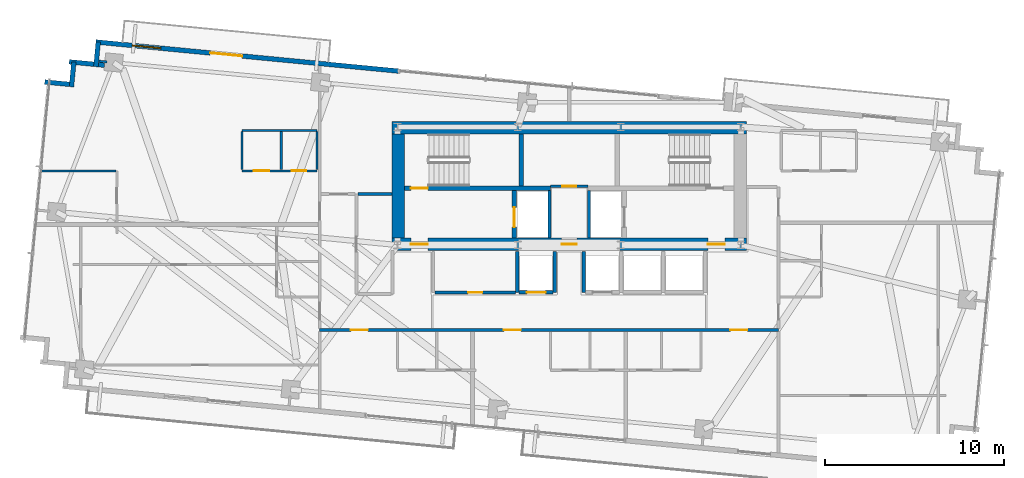
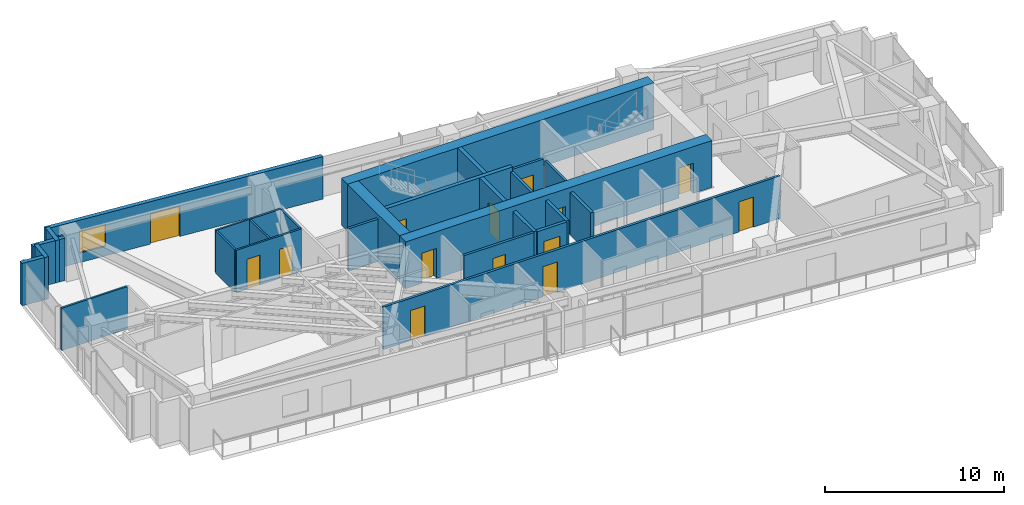
# One storey, part 16 of 20: 28 walls, 14 doors, 1 window, 15 openings.
"""IFC4 building model written with IfcOpenShell, lengths in metres."""

from ifc_helpers import new_model, si_unit, direction, frame, frame_2d, origin, place, context, subcontext, project, spatial, rectangle, extrude, source, transform, mapped, material, layer, layer_set, type_object, type_shapes, element, fill, save


model = new_model("IFC4")

# Units and contexts
model_context = context("Model", 3, precision=1e-05, world=origin(), true_north=direction((0.0, 1.0)))
body_context = subcontext(model_context, "Body", "Model", "MODEL_VIEW")
ifc_project = project(units=[si_unit("LENGTHUNIT", "METRE"), si_unit("AREAUNIT", "SQUARE_METRE"), si_unit("VOLUMEUNIT", "CUBIC_METRE"), si_unit("PLANEANGLEUNIT", "RADIAN"), si_unit("MASSUNIT", "GRAM", prefix="KILO")], contexts=[model_context])

# Site, building, storey
site_placement = place(None, origin())
site = spatial("IfcSite", under=ifc_project, at=site_placement, CompositionType="ELEMENT")
building_placement = place(site_placement, origin())
building = spatial("IfcBuilding", under=site, at=building_placement, Name="Astriad Promenade Condominiums", CompositionType="ELEMENT")
storey_placement = place(building_placement, frame((0.0, 0.0, 159.800048828125)))
storey = spatial("IfcBuildingStorey", under=building, at=storey_placement, Name="L46", CompositionType="ELEMENT", Elevation=159.800048828125)

# Wall, openings, doors
ifc_material_1 = material(Name="Concrete C60/75", Category="concrete")
ifc_layer_1 = layer(ifc_material_1, 0.699951171875)
ifc_layer_set_1 = layer_set([ifc_layer_1], Name="Concrete C60/75")
wall_type_1 = type_object("IfcWallType", Name="CW-SHEAR-700", PredefinedType="SHEAR", material=ifc_layer_set_1)
wall_1_placement = place(storey_placement, frame((26.10009765625, 17.449951171875, 0.0), z_axis=(0.0, 0.0, 1.0), x_axis=(1.0, 0.0, 0.0)))
wall_1 = element("IfcWall", 1, at=wall_1_placement, inside=storey, type_object=wall_type_1, Name="CW-CORE-S-L46", PredefinedType="SHEAR", context=body_context, shape_type="SweptSolid", body=[
    extrude(rectangle(XDim=19.7998046875, YDim=0.699951171875, at=frame_2d((9.89990234375, 0.0))), origin(), (0.0, 0.0, 1.0), 3.199951171875),
])
opening_1_placement = place(wall_1_placement, frame((1.050048828125, 0.0, 0.0)))
opening_1 = element("IfcOpeningElement", 2, at=opening_1_placement, cuts=wall_1, Name="Opening FD90-ST-095", PredefinedType="OPENING", context=body_context, shape_type="SweptSolid", body=[
    extrude(rectangle(XDim=0.949951171875, YDim=2.06005859375, at=frame_2d((0.47509765625, 1.030029296875))), frame((0.0, 0.35986328125, 0.0), z_axis=(0.0, -1.0, 0.0), x_axis=(1.0, 0.0, 0.0)), (0.0, 0.0, 1.0), 0.719970703125),
])
opening_2_placement = place(wall_1_placement, frame((9.47998046875, 0.0, 0.0)))
opening_2 = element("IfcOpeningElement", 3, at=opening_2_placement, cuts=wall_1, Name="Opening FD60-ULOW-085", PredefinedType="OPENING", context=body_context, shape_type="SweptSolid", body=[
    extrude(rectangle(XDim=0.85009765625, YDim=2.0, at=frame_2d((0.425048828125, 1.0))), frame((0.0, 0.35986328125, 0.0), z_axis=(0.0, -1.0, 0.0), x_axis=(1.0, 0.0, 0.0)), (0.0, 0.0, 1.0), 0.719970703125),
])
opening_3_placement = place(wall_1_placement, frame((17.64990234375, 0.0, 0.0)))
opening_3 = element("IfcOpeningElement", 4, at=opening_3_placement, cuts=wall_1, Name="Opening FD90-ST-095", PredefinedType="OPENING", context=body_context, shape_type="SweptSolid", body=[
    extrude(rectangle(XDim=0.949951171875, YDim=2.06005859375, at=frame_2d((0.47509765625, 1.030029296875))), frame((0.0, 0.35986328125, 0.0), z_axis=(0.0, -1.0, 0.0), x_axis=(1.0, 0.0, 0.0)), (0.0, 0.0, 1.0), 0.719970703125),
])
ifc_material_2 = material(Name="Fire-Rated Hollow Metal Stair Door")
door_type_1 = type_object("IfcDoorType", Name="FD90-ST-095", OperationType="NOTDEFINED", PredefinedType="DOOR", material=ifc_material_2)
shared_shape_1 = source(origin(), body_context, "Body", "SweptSolid", [
    extrude(rectangle(XDim=0.949951171875, YDim=2.06005859375, at=frame_2d((0.47509765625, 1.030029296875))), frame((0.0, 0.02490234375, 0.0), z_axis=(0.0, -1.0, 0.0), x_axis=(1.0, 0.0, 0.0)), (0.0, 0.0, 1.0), 0.050048828125),
])
type_shapes(door_type_1, [shared_shape_1])
door_1_placement = place(opening_1_placement, origin())
door_1 = element("IfcDoor", 5, at=door_1_placement, inside=storey, type_object=door_type_1, Name="D-FFW-L46", OperationType="SINGLE_SWING_LEFT", OverallHeight=2.06005859375, OverallWidth=0.949951171875, PredefinedType="DOOR", context=body_context, shape_type="MappedRepresentation", body=[
    mapped(shared_shape_1, transform((0.0, 0.0, 0.0), scale=1.0)),
])
fill(opening_1, door_1)
door_2_placement = place(opening_3_placement, origin())
door_2 = element("IfcDoor", 6, at=door_2_placement, inside=storey, type_object=door_type_1, Name="D-FFE-L46", OperationType="SINGLE_SWING_RIGHT", OverallHeight=2.06005859375, OverallWidth=0.949951171875, PredefinedType="DOOR", context=body_context, shape_type="MappedRepresentation", body=[
    mapped(shared_shape_1, transform((0.0, 0.0, 0.0), scale=1.0)),
])
fill(opening_3, door_2)
ifc_material_3 = material(Name="Solid-Core Low-Headroom Fire Door")
door_type_2 = type_object("IfcDoorType", Name="FD60-ULOW-085", OperationType="NOTDEFINED", PredefinedType="DOOR", material=ifc_material_3)
shared_shape_2 = source(origin(), body_context, "Body", "SweptSolid", [
    extrude(rectangle(XDim=0.85009765625, YDim=2.0, at=frame_2d((0.425048828125, 1.0))), frame((0.0, 0.02490234375, 0.0), z_axis=(0.0, -1.0, 0.0), x_axis=(1.0, 0.0, 0.0)), (0.0, 0.0, 1.0), 0.050048828125),
])
type_shapes(door_type_2, [shared_shape_2])
door_3_placement = place(opening_2_placement, origin())
door_3 = element("IfcDoor", 7, at=door_3_placement, inside=storey, type_object=door_type_2, Name="D-CSL-L46", OperationType="SINGLE_SWING_RIGHT", OverallHeight=2.0, OverallWidth=0.85009765625, PredefinedType="DOOR", context=body_context, shape_type="MappedRepresentation", body=[
    mapped(shared_shape_2, transform((0.0, 0.0, 0.0), scale=1.0)),
])
fill(opening_2, door_3)

# Walls
wall_2_placement = place(storey_placement, frame((26.10009765625, 23.949951171875, 0.0), z_axis=(0.0, 0.0, 1.0), x_axis=(1.0, 0.0, 0.0)))
element("IfcWall", 8, at=wall_2_placement, inside=storey, type_object=wall_type_1, Name="CW-CORE-N-L46", PredefinedType="SHEAR", context=body_context, shape_type="SweptSolid", body=[
    extrude(rectangle(XDim=19.7998046875, YDim=0.699951171875, at=frame_2d((9.89990234375, 0.0))), origin(), (0.0, 0.0, 1.0), 3.199951171875),
])
wall_3_placement = place(storey_placement, frame((26.449951171875, 17.802001953125, 0.0), z_axis=(0.0, 0.0, 1.0), x_axis=(0.0, 1.0, 0.0)))
element("IfcWall", 9, at=wall_3_placement, inside=storey, type_object=wall_type_1, Name="CW-CORE-W-L46", PredefinedType="SHEAR", context=body_context, shape_type="SweptSolid", body=[
    extrude(rectangle(XDim=5.7958984375, YDim=0.699951171875, at=frame_2d((2.89794921875, 0.0))), origin(), (0.0, 0.0, 1.0), 3.199951171875),
])

# Wall, opening, door
ifc_material_4 = material(Name="Concrete C50/60", Category="concrete")
ifc_layer_2 = layer(ifc_material_4, 0.25)
ifc_layer_set_2 = layer_set([ifc_layer_2], Name="Concrete C50/60")
wall_type_2 = type_object("IfcWallType", Name="WALL-CORE-INT-250", PredefinedType="SOLIDWALL", material=ifc_layer_set_2)
wall_4_placement = place(storey_placement, frame((26.802001953125, 20.574951171875, 0.0), z_axis=(0.0, 0.0, 1.0), x_axis=(1.0, 0.0, 0.0)))
wall_4 = element("IfcWall", 10, at=wall_4_placement, inside=storey, type_object=wall_type_2, Name="CW-INT-H1-L46", PredefinedType="SOLIDWALL", context=body_context, shape_type="SweptSolid", body=[
    extrude(rectangle(XDim=8.14794921875, YDim=0.25, at=frame_2d((4.073974609375, 0.0))), origin(), (0.0, 0.0, 1.0), 3.199951171875),
])
opening_4_placement = place(wall_4_placement, frame((0.347900390625, 0.0, 0.0)))
opening_4 = element("IfcOpeningElement", 11, at=opening_4_placement, cuts=wall_4, Name="Opening FD90-ST-095", PredefinedType="OPENING", context=body_context, shape_type="SweptSolid", body=[
    extrude(rectangle(XDim=0.949951171875, YDim=2.06005859375, at=frame_2d((0.47509765625, 1.030029296875))), frame((0.0, 0.135009765625, 0.0), z_axis=(0.0, -1.0, 0.0), x_axis=(1.0, 0.0, 0.0)), (0.0, 0.0, 1.0), 0.27001953125),
])
door_4_placement = place(opening_4_placement, origin())
door_4 = element("IfcDoor", 12, at=door_4_placement, inside=storey, type_object=door_type_1, Name="D-ST1-L46", OperationType="SINGLE_SWING_RIGHT", OverallHeight=2.06005859375, OverallWidth=0.949951171875, PredefinedType="DOOR", context=body_context, shape_type="MappedRepresentation", body=[
    mapped(shared_shape_1, transform((0.0, 0.0, 0.0), scale=1.0)),
])
fill(opening_4, door_4)

# Wall
wall_5_placement = place(storey_placement, frame((33.324951171875, 20.701904296875, 0.0), z_axis=(0.0, 0.0, 1.0), x_axis=(0.0, 1.0, 0.0)))
element("IfcWall", 13, at=wall_5_placement, inside=storey, type_object=wall_type_2, Name="CW-ST1-E-L46", PredefinedType="SOLIDWALL", context=body_context, shape_type="SweptSolid", body=[
    extrude(rectangle(XDim=2.89599609375, YDim=0.25, at=frame_2d((1.447998046875, 0.0))), origin(), (0.0, 0.0, 1.0), 3.199951171875),
])

# Wall, opening, door
wall_6_placement = place(storey_placement, frame((32.925048828125, 17.802001953125, 0.0), z_axis=(0.0, 0.0, 1.0), x_axis=(0.0, 1.0, 0.0)))
wall_6 = element("IfcWall", 14, at=wall_6_placement, inside=storey, type_object=wall_type_2, Name="CW-FFL1-W-L46", PredefinedType="SOLIDWALL", context=body_context, shape_type="SweptSolid", body=[
    extrude(rectangle(XDim=2.64599609375, YDim=0.25, at=frame_2d((1.322998046875, 0.0))), origin(), (0.0, 0.0, 1.0), 3.199951171875),
])
opening_5_placement = place(wall_6_placement, frame((0.597900390625, 0.0, 0.0)))
opening_5 = element("IfcOpeningElement", 15, at=opening_5_placement, cuts=wall_6, Name="Opening LD-FFL-1122", PredefinedType="OPENING", context=body_context, shape_type="SweptSolid", body=[
    extrude(rectangle(XDim=1.10009765625, YDim=2.080078125, at=frame_2d((0.550048828125, 1.0400390625))), frame((0.0, 0.135009765625, 0.0), z_axis=(0.0, -1.0, 0.0), x_axis=(1.0, 0.0, 0.0)), (0.0, 0.0, 1.0), 0.27001953125),
])
ifc_material_5 = material(Name="Brushed Stainless Steel Fire Elevator Landing Door", Category="steel")
door_type_3 = type_object("IfcDoorType", Name="LD-FFL-1122", OperationType="NOTDEFINED", PredefinedType="DOOR", material=ifc_material_5)
shared_shape_3 = source(origin(), body_context, "Body", "SweptSolid", [
    extrude(rectangle(XDim=1.10009765625, YDim=2.080078125, at=frame_2d((0.550048828125, 1.0400390625))), frame((0.0, 0.02490234375, 0.0), z_axis=(0.0, -1.0, 0.0), x_axis=(1.0, 0.0, 0.0)), (0.0, 0.0, 1.0), 0.050048828125),
])
type_shapes(door_type_3, [shared_shape_3])
door_5_placement = place(opening_5_placement, origin())
door_5 = element("IfcDoor", 16, at=door_5_placement, inside=storey, type_object=door_type_3, Name="Elevator Landing Door FFL-1 (L46)", OperationType="SLIDING_TO_LEFT", OverallHeight=2.080078125, OverallWidth=1.10009765625, PredefinedType="DOOR", context=body_context, shape_type="MappedRepresentation", body=[
    mapped(shared_shape_3, transform((0.0, 0.0, 0.0), scale=1.0)),
])
fill(opening_5, door_5)

# Walls
ifc_material_6 = material(Name="Fire-Rated Gypsum Partition")
ifc_layer_3 = layer(ifc_material_6, 0.159912109375)
ifc_layer_set_3 = layer_set([ifc_layer_3], Name="Fire-Rated Gypsum Partition")
wall_type_3 = type_object("IfcWallType", Name="WALL-CORR-160", PredefinedType="PARTITIONING", material=ifc_layer_set_3)
for number, where, z_axis, x_axis, name in (
    (17, (34.89990234375, 17.802001953125, 0.0), (0.0, 0.0, 1.0), (0.0, 1.0, 0.0), "CW-FFL1-E-L46"),
    (18, (37.10009765625, 17.802001953125, 0.0), (0.0, 0.0, 1.0), (0.0, 1.0, 0.0), "CW-FFL2-W-L46"),
):
    element("IfcWall", number, at=place(storey_placement, frame(where, z_axis=z_axis, x_axis=x_axis)), inside=storey, type_object=wall_type_3, Name=name, PredefinedType="PARTITIONING", context=body_context, shape_type="SweptSolid", body=[
        extrude(rectangle(XDim=2.64599609375, YDim=0.159912109375, at=frame_2d((1.322998046875, 0.0))), origin(), (0.0, 0.0, 1.0), 2.89990234375),
    ])

# Wall, opening, door
wall_7_placement = place(storey_placement, frame((34.949951171875, 20.68994140625, 0.0), z_axis=(0.0, 0.0, 1.0), x_axis=(1.0, 0.0, 0.0)))
wall_7 = element("IfcWall", 19, at=wall_7_placement, inside=storey, type_object=wall_type_3, Name="CW-AUX-S-L46", PredefinedType="PARTITIONING", context=body_context, shape_type="SweptSolid", body=[
    extrude(rectangle(XDim=2.10009765625, YDim=0.159912109375, at=frame_2d((1.050048828125, 0.0))), origin(), (0.0, 0.0, 1.0), 2.89990234375),
])
opening_6_placement = place(wall_7_placement, frame((0.64990234375, 0.0, 0.0)))
opening_6 = element("IfcOpeningElement", 20, at=opening_6_placement, cuts=wall_7, Name="Opening FD60-SV-080", PredefinedType="OPENING", context=body_context, shape_type="SweptSolid", body=[
    extrude(rectangle(XDim=0.800048828125, YDim=2.050048828125, at=frame_2d((0.39990234375, 1.02490234375))), frame((0.0, 0.08984375, 0.0), z_axis=(0.0, -1.0, 0.0), x_axis=(1.0, 0.0, 0.0)), (0.0, 0.0, 1.0), 0.179931640625),
])
ifc_material_7 = material(Name="Fire-Rated Riser Closet Door")
door_type_4 = type_object("IfcDoorType", Name="FD60-SV-080", OperationType="NOTDEFINED", PredefinedType="DOOR", material=ifc_material_7)
shared_shape_4 = source(origin(), body_context, "Body", "SweptSolid", [
    extrude(rectangle(XDim=0.800048828125, YDim=2.050048828125, at=frame_2d((0.39990234375, 1.02490234375))), frame((0.0, 0.02490234375, 0.0), z_axis=(0.0, -1.0, 0.0), x_axis=(1.0, 0.0, 0.0)), (0.0, 0.0, 1.0), 0.050048828125),
])
type_shapes(door_type_4, [shared_shape_4])
door_6_placement = place(opening_6_placement, origin())
door_6 = element("IfcDoor", 21, at=door_6_placement, inside=storey, type_object=door_type_4, Name="D-AUX1-L46", OperationType="SINGLE_SWING_RIGHT", OverallHeight=2.050048828125, OverallWidth=0.800048828125, PredefinedType="DOOR", context=body_context, shape_type="MappedRepresentation", body=[
    mapped(shared_shape_4, transform((0.0, 0.0, 0.0), scale=1.0)),
])
fill(opening_6, door_6)

wall_8_placement = place(storey_placement, frame((28.48193359375, 14.75, 0.0), z_axis=(0.0, 0.0, 1.0), x_axis=(1.0, 0.0, 0.0)))
wall_8 = element("IfcWall", 22, at=wall_8_placement, inside=storey, type_object=wall_type_3, Name="REC-L-S-L46", PredefinedType="PARTITIONING", context=body_context, shape_type="SweptSolid", body=[
    extrude(rectangle(XDim=4.51611328125, YDim=0.159912109375, at=frame_2d((2.258056640625, 0.0))), origin(), (0.0, 0.0, 1.0), 2.89990234375),
])
opening_7_placement = place(wall_8_placement, frame((1.867919921875, 0.0, 0.0)))
opening_7 = element("IfcOpeningElement", 23, at=opening_7_placement, cuts=wall_8, Name="Opening FD60-SV-080", PredefinedType="OPENING", context=body_context, shape_type="SweptSolid", body=[
    extrude(rectangle(XDim=0.800048828125, YDim=2.050048828125, at=frame_2d((0.39990234375, 1.02490234375))), frame((0.0, 0.08984375, 0.0), z_axis=(0.0, -1.0, 0.0), x_axis=(1.0, 0.0, 0.0)), (0.0, 0.0, 1.0), 0.179931640625),
])
door_7_placement = place(opening_7_placement, origin())
door_7 = element("IfcDoor", 24, at=door_7_placement, inside=storey, type_object=door_type_4, Name="D-RECL-L46", OperationType="SINGLE_SWING_LEFT", OverallHeight=2.050048828125, OverallWidth=0.800048828125, PredefinedType="DOOR", context=body_context, shape_type="MappedRepresentation", body=[
    mapped(shared_shape_4, transform((0.0, 0.0, 0.0), scale=1.0)),
])
fill(opening_7, door_7)

# Wall, openings, doors
wall_9_placement = place(storey_placement, frame((22.050048828125, 12.64990234375, 0.0), z_axis=(0.0, 0.0, 1.0), x_axis=(1.0, 0.0, 0.0)))
wall_9 = element("IfcWall", 25, at=wall_9_placement, inside=storey, type_object=wall_type_3, Name="PT-COR-S-L46", PredefinedType="PARTITIONING", context=body_context, shape_type="SweptSolid", body=[
    extrude(rectangle(XDim=25.64990234375, YDim=0.159912109375, at=frame_2d((12.824951171875, 0.0))), origin(), (0.0, 0.0, 1.0), 2.89990234375),
])
opening_8_placement = place(wall_9_placement, frame((1.736083984375, 0.0, 0.0)))
opening_8 = element("IfcOpeningElement", 26, at=opening_8_placement, cuts=wall_9, Name="Opening FD60-APT-095", PredefinedType="OPENING", context=body_context, shape_type="SweptSolid", body=[
    extrude(rectangle(XDim=0.949951171875, YDim=2.06005859375, at=frame_2d((0.47509765625, 1.030029296875))), frame((0.0, 0.08984375, 0.0), z_axis=(0.0, -1.0, 0.0), x_axis=(1.0, 0.0, 0.0)), (0.0, 0.0, 1.0), 0.179931640625),
])
opening_9_placement = place(wall_9_placement, frame((10.300048828125, 0.0, 0.0)))
opening_9 = element("IfcOpeningElement", 27, at=opening_9_placement, cuts=wall_9, Name="Opening FD60-APT-095", PredefinedType="OPENING", context=body_context, shape_type="SweptSolid", body=[
    extrude(rectangle(XDim=0.949951171875, YDim=2.06005859375, at=frame_2d((0.47509765625, 1.030029296875))), frame((0.0, 0.08984375, 0.0), z_axis=(0.0, -1.0, 0.0), x_axis=(1.0, 0.0, 0.0)), (0.0, 0.0, 1.0), 0.179931640625),
])
opening_10_placement = place(wall_9_placement, frame((22.965087890625, 0.0, 0.0)))
opening_10 = element("IfcOpeningElement", 28, at=opening_10_placement, cuts=wall_9, Name="Opening FD60-APT-095", PredefinedType="OPENING", context=body_context, shape_type="SweptSolid", body=[
    extrude(rectangle(XDim=0.949951171875, YDim=2.06005859375, at=frame_2d((0.47509765625, 1.030029296875))), frame((0.0, 0.08984375, 0.0), z_axis=(0.0, -1.0, 0.0), x_axis=(1.0, 0.0, 0.0)), (0.0, 0.0, 1.0), 0.179931640625),
])
ifc_material_8 = material(Name="Solid-Core Acoustic Timber Residence Entry Door", Category="wood")
door_type_5 = type_object("IfcDoorType", Name="FD60-APT-095", OperationType="NOTDEFINED", PredefinedType="DOOR", material=ifc_material_8)
shared_shape_5 = source(origin(), body_context, "Body", "SweptSolid", [
    extrude(rectangle(XDim=0.949951171875, YDim=2.06005859375, at=frame_2d((0.47509765625, 1.030029296875))), frame((0.0, 0.02490234375, 0.0), z_axis=(0.0, -1.0, 0.0), x_axis=(1.0, 0.0, 0.0)), (0.0, 0.0, 1.0), 0.050048828125),
])
type_shapes(door_type_5, [shared_shape_5])
door_8_placement = place(opening_8_placement, origin())
door_8 = element("IfcDoor", 29, at=door_8_placement, inside=storey, type_object=door_type_5, Name="D-ENT-L46-S1", OperationType="SINGLE_SWING_RIGHT", OverallHeight=2.06005859375, OverallWidth=0.949951171875, PredefinedType="DOOR", context=body_context, shape_type="MappedRepresentation", body=[
    mapped(shared_shape_5, transform((0.0, 0.0, 0.0), scale=1.0)),
])
fill(opening_8, door_8)
door_9_placement = place(opening_9_placement, origin())
door_9 = element("IfcDoor", 30, at=door_9_placement, inside=storey, type_object=door_type_5, Name="D-ENT-L46-S2", OperationType="SINGLE_SWING_LEFT", OverallHeight=2.06005859375, OverallWidth=0.949951171875, PredefinedType="DOOR", context=body_context, shape_type="MappedRepresentation", body=[
    mapped(shared_shape_5, transform((0.0, 0.0, 0.0), scale=1.0)),
])
fill(opening_9, door_9)
door_10_placement = place(opening_10_placement, origin())
door_10 = element("IfcDoor", 31, at=door_10_placement, inside=storey, type_object=door_type_5, Name="D-ENT-L46-S3", OperationType="SINGLE_SWING_RIGHT", OverallHeight=2.06005859375, OverallWidth=0.949951171875, PredefinedType="DOOR", context=body_context, shape_type="MappedRepresentation", body=[
    mapped(shared_shape_5, transform((0.0, 0.0, 0.0), scale=1.0)),
])
fill(opening_10, door_10)

# Walls
wall_10_placement = place(storey_placement, frame((24.181884765625, 20.25, 0.0), z_axis=(0.0, 0.0, 1.0), x_axis=(1.0, 0.0, 0.0)))
element("IfcWall", 32, at=wall_10_placement, inside=storey, type_object=wall_type_3, Name="PT-HK-N-L46-S2", PredefinedType="PARTITIONING", context=body_context, shape_type="SweptSolid", body=[
    extrude(rectangle(XDim=1.916015625, YDim=0.159912109375, at=frame_2d((0.9580078125, 0.0))), origin(), (0.0, 0.0, 1.0), 2.89990234375),
])
ifc_material_9 = material(Name="Precast concrete C50/60", Category="concrete")
ifc_layer_4 = layer(ifc_material_9, 0.260009765625)
ifc_layer_set_4 = layer_set([ifc_layer_4], Name="Precast concrete C50/60")
wall_type_4 = type_object("IfcWallType", Name="WALL-EXT-TWR-260", PredefinedType="STANDARD", material=ifc_layer_set_4)
wall_11_placement = place(storey_placement, frame((6.68115234375, 26.518310546875, 0.0), z_axis=(0.0, 0.0, 1.0), x_axis=(0.995389446633, -0.095915846097, 0.0)))
element("IfcWall", 33, at=wall_11_placement, inside=storey, type_object=wall_type_4, Name="W-SER-L46-04", PredefinedType="STANDARD", context=body_context, shape_type="SweptSolid", body=[
    extrude(rectangle(XDim=1.394775390625, YDim=0.260009765625, at=frame_2d((0.697265625, 0.0))), origin(), (0.0, 0.0, 1.0), 2.89990234375),
])
wall_12_placement = place(storey_placement, frame((8.171875, 26.243896484375, 0.0), z_axis=(0.0, 0.0, 1.0), x_axis=(0.095725744959, 0.99540774648, 0.0)))
element("IfcWall", 34, at=wall_12_placement, inside=storey, type_object=wall_type_4, Name="W-SER-L46-05", PredefinedType="STANDARD", context=body_context, shape_type="SweptSolid", body=[
    extrude(rectangle(XDim=1.39501953125, YDim=0.260009765625, at=frame_2d((0.697509765625, 0.0))), origin(), (0.0, 0.0, 1.0), 2.89990234375),
])
wall_13_placement = place(storey_placement, frame((8.045166015625, 27.642578125, 0.0), z_axis=(0.0, 0.0, 1.0), x_axis=(0.995391147587, -0.095898192396, 0.0)))
element("IfcWall", 35, at=wall_13_placement, inside=storey, type_object=wall_type_4, Name="W-SER-L46-06", PredefinedType="STANDARD", context=body_context, shape_type="SweptSolid", body=[
    extrude(rectangle(XDim=1.97802734375, YDim=0.260009765625, at=frame_2d((0.989013671875, 0.0))), origin(), (0.0, 0.0, 1.0), 2.89990234375),
])
wall_14_placement = place(storey_placement, frame((9.535888671875, 27.368408203125, 0.0), z_axis=(0.0, 0.0, 1.0), x_axis=(0.095915846097, 0.995389446633, 0.0)))
element("IfcWall", 36, at=wall_14_placement, inside=storey, type_object=wall_type_4, Name="W-SER-L46-07", PredefinedType="STANDARD", context=body_context, shape_type="SweptSolid", body=[
    extrude(rectangle(XDim=1.394775390625, YDim=0.260009765625, at=frame_2d((0.697265625, 0.0))), origin(), (0.0, 0.0, 1.0), 2.89990234375),
])

# Wall, openings, door, window
wall_15_placement = place(storey_placement, frame((9.538818359375, 28.75439453125, 0.0), z_axis=(0.0, 0.0, 1.0), x_axis=(0.995397345886, -0.09583383433, 0.0)))
wall_15 = element("IfcWall", 37, at=wall_15_placement, inside=storey, type_object=wall_type_4, Name="W-EXT-L46-N1", PredefinedType="STANDARD", context=body_context, shape_type="SweptSolid", body=[
    extrude(rectangle(XDim=17.010009765625, YDim=0.260009765625, at=frame_2d((8.5048828125, 0.0))), origin(), (0.0, 0.0, 1.0), 2.89990234375),
])
opening_11_placement = place(wall_15_placement, frame((6.424072265625, 0.0, 0.0)))
opening_11 = element("IfcOpeningElement", 38, at=opening_11_placement, cuts=wall_15, Name="Opening BD-1822-SLD", PredefinedType="OPENING", context=body_context, shape_type="SweptSolid", body=[
    extrude(rectangle(XDim=1.800048828125, YDim=2.06005859375, at=frame_2d((0.89990234375, 1.030029296875))), frame((0.0, 0.139892578125, 0.0), z_axis=(0.0, -1.0, 0.0), x_axis=(1.0, 0.0, 0.0)), (0.0, 0.0, 1.0), 0.280029296875),
])
opening_12_placement = place(wall_15_placement, frame((2.050048828125, 0.0, 0.64990234375)))
opening_12 = element("IfcOpeningElement", 39, at=opening_12_placement, cuts=wall_15, Name="Opening WIN-TWR-1620", PredefinedType="OPENING", context=body_context, shape_type="SweptSolid", body=[
    extrude(rectangle(XDim=1.60009765625, YDim=1.5, at=frame_2d((0.800048828125, 0.75))), frame((0.0, 0.139892578125, 0.0), z_axis=(0.0, -1.0, 0.0), x_axis=(1.0, 0.0, 0.0)), (0.0, 0.0, 1.0), 0.280029296875),
])
ifc_material_10 = material(Name="Thermally Broken Aluminium Sliding Balcony Door", Category="aluminium")
door_type_6 = type_object("IfcDoorType", Name="BD-1822-SLD", OperationType="NOTDEFINED", PredefinedType="DOOR", material=ifc_material_10)
shared_shape_6 = source(origin(), body_context, "Body", "SweptSolid", [
    extrude(rectangle(XDim=1.800048828125, YDim=2.06005859375, at=frame_2d((0.89990234375, 1.030029296875))), frame((0.0, 0.02490234375, 0.0), z_axis=(0.0, -1.0, 0.0), x_axis=(1.0, 0.0, 0.0)), (0.0, 0.0, 1.0), 0.050048828125),
])
type_shapes(door_type_6, [shared_shape_6])
door_11_placement = place(opening_11_placement, origin())
door_11 = element("IfcDoor", 40, at=door_11_placement, inside=storey, type_object=door_type_6, Name="BD-L46-NW", OperationType="SLIDING_TO_LEFT", OverallHeight=2.06005859375, OverallWidth=1.800048828125, PredefinedType="DOOR", context=body_context, shape_type="MappedRepresentation", body=[
    mapped(shared_shape_6, transform((0.0, 0.0, 0.0), scale=1.0)),
])
fill(opening_11, door_11)
ifc_material_11 = material(Name="Dark Tinted Triple-Glazed Aluminium Window", Category="aluminium")
window_type = type_object("IfcWindowType", Name="WIN-TWR-1620", PartitioningType="SINGLE_PANEL", PredefinedType="WINDOW", material=ifc_material_11)
shared_shape_7 = source(origin(), body_context, "Body", "SweptSolid", [
    extrude(rectangle(XDim=1.60009765625, YDim=1.5, at=frame_2d((0.800048828125, 0.75))), frame((0.0, 0.030029296875, 0.0), z_axis=(0.0, -1.0, 0.0), x_axis=(1.0, 0.0, 0.0)), (0.0, 0.0, 1.0), 0.06005859375),
])
type_shapes(window_type, [shared_shape_7])
window_placement = place(opening_12_placement, origin())
window = element("IfcWindow", 41, at=window_placement, inside=storey, type_object=window_type, Name="WIN-L46-NW", OverallHeight=1.5, OverallWidth=1.60009765625, PartitioningType="SINGLE_PANEL", PredefinedType="WINDOW", context=body_context, shape_type="MappedRepresentation", body=[
    mapped(shared_shape_7, transform((0.0, 0.0, 0.0), scale=1.0)),
])
fill(opening_12, window)

# Wall, openings, doors
ifc_material_12 = material(Name="Acoustic Metal-Stud Gypsum Partition")
ifc_layer_5 = layer(ifc_material_12, 0.1201171875)
ifc_layer_set_5 = layer_set([ifc_layer_5], Name="Acoustic Metal-Stud Gypsum Partition")
wall_type_5 = type_object("IfcWallType", Name="WALL-PART-120", PredefinedType="PARTITIONING", material=ifc_layer_set_5)
wall_16_placement = place(storey_placement, frame((17.699951171875, 21.550048828125, 0.0), z_axis=(0.0, 0.0, 1.0), x_axis=(1.0, 0.0, 0.0)))
wall_16 = element("IfcWall", 42, at=wall_16_placement, inside=storey, type_object=wall_type_5, Name="PT-L46-W2-PH", PredefinedType="PARTITIONING", context=body_context, shape_type="SweptSolid", body=[
    extrude(rectangle(XDim=4.199951171875, YDim=0.1201171875, at=frame_2d((2.10009765625, 0.0))), origin(), (0.0, 0.0, 1.0), 2.89990234375),
])
opening_13_placement = place(wall_16_placement, frame((0.675048828125, 0.0, 0.0)))
opening_13 = element("IfcOpeningElement", 43, at=opening_13_placement, cuts=wall_16, Name="Opening D-INT-085", PredefinedType="OPENING", context=body_context, shape_type="SweptSolid", body=[
    extrude(rectangle(XDim=0.85009765625, YDim=2.050048828125, at=frame_2d((0.425048828125, 1.02490234375))), frame((0.0, 0.070068359375, 0.0), z_axis=(0.0, -1.0, 0.0), x_axis=(1.0, 0.0, 0.0)), (0.0, 0.0, 1.0), 0.14013671875),
])
opening_14_placement = place(wall_16_placement, frame((2.800048828125, 0.0, 0.0)))
opening_14 = element("IfcOpeningElement", 44, at=opening_14_placement, cuts=wall_16, Name="Opening D-ULOW-080", PredefinedType="OPENING", context=body_context, shape_type="SweptSolid", body=[
    extrude(rectangle(XDim=0.800048828125, YDim=2.0, at=frame_2d((0.39990234375, 1.0))), frame((0.0, 0.070068359375, 0.0), z_axis=(0.0, -1.0, 0.0), x_axis=(1.0, 0.0, 0.0)), (0.0, 0.0, 1.0), 0.14013671875),
])
ifc_material_13 = material(Name="Painted Solid-Core Timber Room Door", Category="wood")
door_type_7 = type_object("IfcDoorType", Name="D-INT-085", OperationType="NOTDEFINED", PredefinedType="DOOR", material=ifc_material_13)
shared_shape_8 = source(origin(), body_context, "Body", "SweptSolid", [
    extrude(rectangle(XDim=0.85009765625, YDim=2.050048828125, at=frame_2d((0.425048828125, 1.02490234375))), frame((0.0, 0.02490234375, 0.0), z_axis=(0.0, -1.0, 0.0), x_axis=(1.0, 0.0, 0.0)), (0.0, 0.0, 1.0), 0.050048828125),
])
type_shapes(door_type_7, [shared_shape_8])
door_12_placement = place(opening_13_placement, origin())
door_12 = element("IfcDoor", 45, at=door_12_placement, inside=storey, type_object=door_type_7, Name="D-KIT-L46-W2", OperationType="SINGLE_SWING_LEFT", OverallHeight=2.050048828125, OverallWidth=0.85009765625, PredefinedType="DOOR", context=body_context, shape_type="MappedRepresentation", body=[
    mapped(shared_shape_8, transform((0.0, 0.0, 0.0), scale=1.0)),
])
fill(opening_13, door_12)
ifc_material_14 = material(Name="Painted Timber Low-Headroom Door", Category="wood")
door_type_8 = type_object("IfcDoorType", Name="D-ULOW-080", OperationType="NOTDEFINED", PredefinedType="DOOR", material=ifc_material_14)
shared_shape_9 = source(origin(), body_context, "Body", "SweptSolid", [
    extrude(rectangle(XDim=0.800048828125, YDim=2.0, at=frame_2d((0.39990234375, 1.0))), frame((0.0, 0.02490234375, 0.0), z_axis=(0.0, -1.0, 0.0), x_axis=(1.0, 0.0, 0.0)), (0.0, 0.0, 1.0), 0.050048828125),
])
type_shapes(door_type_8, [shared_shape_9])
door_13_placement = place(opening_14_placement, origin())
door_13 = element("IfcDoor", 46, at=door_13_placement, inside=storey, type_object=door_type_8, Name="D-BTH-L46-W2", OperationType="SINGLE_SWING_RIGHT", OverallHeight=2.0, OverallWidth=0.800048828125, PredefinedType="DOOR", context=body_context, shape_type="MappedRepresentation", body=[
    mapped(shared_shape_9, transform((0.0, 0.0, 0.0), scale=1.0)),
])
fill(opening_14, door_13)

# Walls
wall_17_placement = place(storey_placement, frame((17.699951171875, 23.800048828125, 0.0), z_axis=(0.0, 0.0, 1.0), x_axis=(1.0, 0.0, 0.0)))
element("IfcWall", 47, at=wall_17_placement, inside=storey, type_object=wall_type_5, Name="PT-L46-W2-PHN", PredefinedType="PARTITIONING", context=body_context, shape_type="SweptSolid", body=[
    extrude(rectangle(XDim=4.199951171875, YDim=0.1201171875, at=frame_2d((2.10009765625, 0.0))), origin(), (0.0, 0.0, 1.0), 2.89990234375),
])
for number, where, z_axis, x_axis, name in (
    (48, (17.699951171875, 21.612060546875, 0.0), (0.0, 0.0, 1.0), (0.0, 1.0, 0.0), "PT-L46-W2-PK1"),
    (49, (19.89990234375, 21.612060546875, 0.0), (0.0, 0.0, 1.0), (0.0, 1.0, 0.0), "PT-L46-W2-PK2"),
    (50, (21.89990234375, 21.612060546875, 0.0), (0.0, 0.0, 1.0), (0.0, 1.0, 0.0), "PT-L46-W2-PK3"),
):
    element("IfcWall", number, at=place(storey_placement, frame(where, z_axis=z_axis, x_axis=x_axis)), inside=storey, type_object=wall_type_5, Name=name, PredefinedType="PARTITIONING", context=body_context, shape_type="SweptSolid", body=[
        extrude(rectangle(XDim=2.1259765625, YDim=0.1201171875, at=frame_2d((1.06298828125, 0.0))), origin(), (0.0, 0.0, 1.0), 2.89990234375),
    ])
wall_18_placement = place(storey_placement, frame((6.413818359375, 21.550048828125, 0.0), z_axis=(0.0, 0.0, 1.0), x_axis=(1.0, 0.0, 0.0)))
element("IfcWall", 51, at=wall_18_placement, inside=storey, type_object=wall_type_5, Name="PT-L46-W2-CAP1H", PredefinedType="PARTITIONING", context=body_context, shape_type="SweptSolid", body=[
    extrude(rectangle(XDim=4.23828125, YDim=0.1201171875, at=frame_2d((2.119140625, 0.0))), origin(), (0.0, 0.0, 1.0), 2.89990234375),
])
wall_19_placement = place(storey_placement, frame((10.15478515625, 27.640380859375, 0.0), z_axis=(0.0, 0.0, 1.0), x_axis=(-0.995435366701, 0.095438098896, 0.0)))
element("IfcWall", 52, at=wall_19_placement, inside=storey, type_object=wall_type_5, Name="PT-PIL-L46-PC06-13", PredefinedType="PARTITIONING", context=body_context, shape_type="SweptSolid", body=[
    extrude(rectangle(XDim=0.4580078125, YDim=0.1201171875, at=frame_2d((0.22900390625, 0.0))), origin(), (0.0, 0.0, 1.0), 2.89990234375),
])
ifc_material_15 = material(Name="Gypsum Shaftliner Assembly")
ifc_layer_6 = layer(ifc_material_15, 0.199951171875)
ifc_layer_set_6 = layer_set([ifc_layer_6], Name="Gypsum Shaftliner Assembly")
wall_type_6 = type_object("IfcWallType", Name="WALL-SHAFT-200", PredefinedType="PARTITIONING", material=ifc_layer_set_6)
for number, where, z_axis, x_axis, name in (
    (53, (33.10009765625, 14.75, 0.0), (0.0, 0.0, 1.0), (0.0, 1.0, 0.0), "REC-L-E-L46"),
    (54, (35.199951171875, 14.75, 0.0), (0.0, 0.0, 1.0), (0.0, 1.0, 0.0), "PL-M1-E-L46"),
):
    element("IfcWall", number, at=place(storey_placement, frame(where, z_axis=z_axis, x_axis=x_axis)), inside=storey, type_object=wall_type_6, Name=name, PredefinedType="PARTITIONING", context=body_context, shape_type="SweptSolid", body=[
        extrude(rectangle(XDim=2.300048828125, YDim=0.199951171875, at=frame_2d((1.14990234375, 0.0))), origin(), (0.0, 0.0, 1.0), 2.89990234375),
    ])

# Wall, opening, door
wall_20_placement = place(storey_placement, frame((33.201904296875, 14.75, 0.0), z_axis=(0.0, 0.0, 1.0), x_axis=(1.0, 0.0, 0.0)))
wall_20 = element("IfcWall", 55, at=wall_20_placement, inside=storey, type_object=wall_type_6, Name="PL-M1-F-L46", PredefinedType="PARTITIONING", context=body_context, shape_type="SweptSolid", body=[
    extrude(rectangle(XDim=1.89599609375, YDim=0.199951171875, at=frame_2d((0.947998046875, 0.0))), origin(), (0.0, 0.0, 1.0), 2.89990234375),
])
opening_15_placement = place(wall_20_placement, frame((0.423095703125, 0.0, 0.0)))
opening_15 = element("IfcOpeningElement", 56, at=opening_15_placement, cuts=wall_20, Name="Opening LD-PL-10522", PredefinedType="OPENING", context=body_context, shape_type="SweptSolid", body=[
    extrude(rectangle(XDim=1.050048828125, YDim=2.080078125, at=frame_2d((0.52490234375, 1.0400390625))), frame((0.0, 0.10986328125, 0.0), z_axis=(0.0, -1.0, 0.0), x_axis=(1.0, 0.0, 0.0)), (0.0, 0.0, 1.0), 0.219970703125),
])
ifc_material_16 = material(Name="Brushed Bronze Passenger Elevator Landing Door")
door_type_9 = type_object("IfcDoorType", Name="LD-PL-10522", OperationType="NOTDEFINED", PredefinedType="DOOR", material=ifc_material_16)
shared_shape_10 = source(origin(), body_context, "Body", "SweptSolid", [
    extrude(rectangle(XDim=1.050048828125, YDim=2.080078125, at=frame_2d((0.52490234375, 1.0400390625))), frame((0.0, 0.02490234375, 0.0), z_axis=(0.0, -1.0, 0.0), x_axis=(1.0, 0.0, 0.0)), (0.0, 0.0, 1.0), 0.050048828125),
])
type_shapes(door_type_9, [shared_shape_10])
door_14_placement = place(opening_15_placement, origin())
door_14 = element("IfcDoor", 57, at=door_14_placement, inside=storey, type_object=door_type_9, Name="Elevator Landing Door PL-M1 (L46)", OperationType="SLIDING_TO_LEFT", OverallHeight=2.080078125, OverallWidth=1.050048828125, PredefinedType="DOOR", context=body_context, shape_type="MappedRepresentation", body=[
    mapped(shared_shape_10, transform((0.0, 0.0, 0.0), scale=1.0)),
])
fill(opening_15, door_14)

# Wall
wall_21_placement = place(storey_placement, frame((36.800048828125, 14.75, 0.0), z_axis=(0.0, 0.0, 1.0), x_axis=(0.0, 1.0, 0.0)))
element("IfcWall", 58, at=wall_21_placement, inside=storey, type_object=wall_type_6, Name="PL-M2-W-L46", PredefinedType="PARTITIONING", context=body_context, shape_type="SweptSolid", body=[
    extrude(rectangle(XDim=2.300048828125, YDim=0.199951171875, at=frame_2d((1.14990234375, 0.0))), origin(), (0.0, 0.0, 1.0), 2.89990234375),
])

save(model, "model.ifc")
